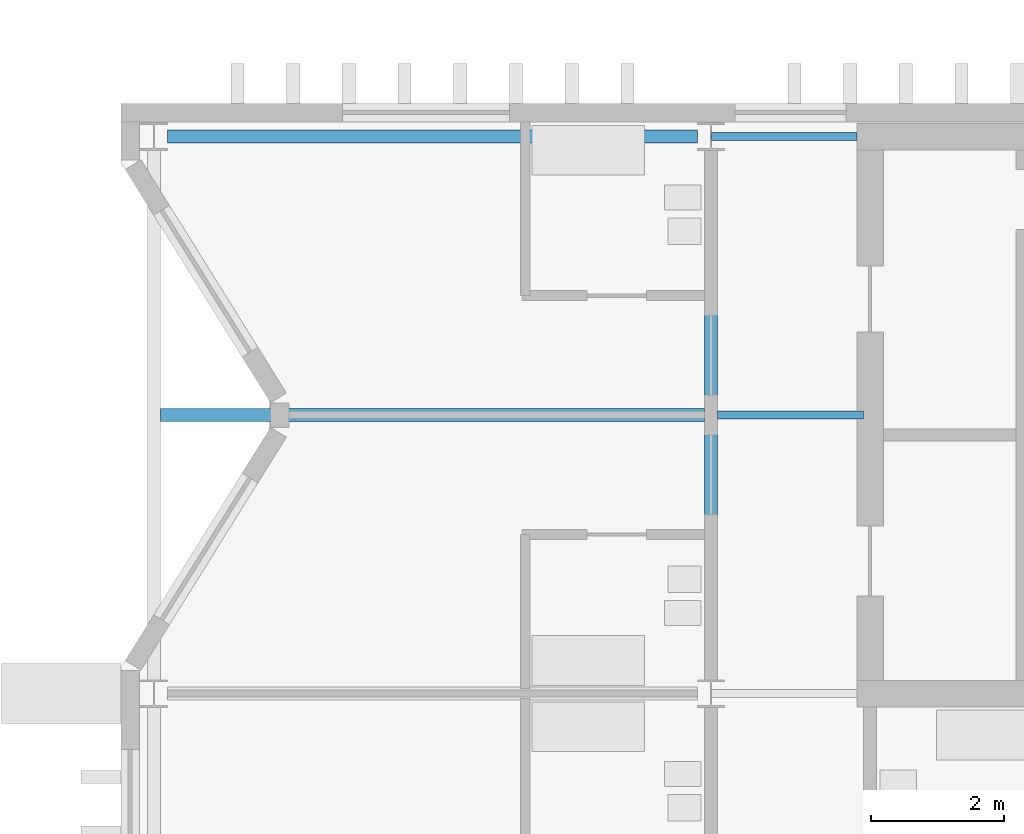
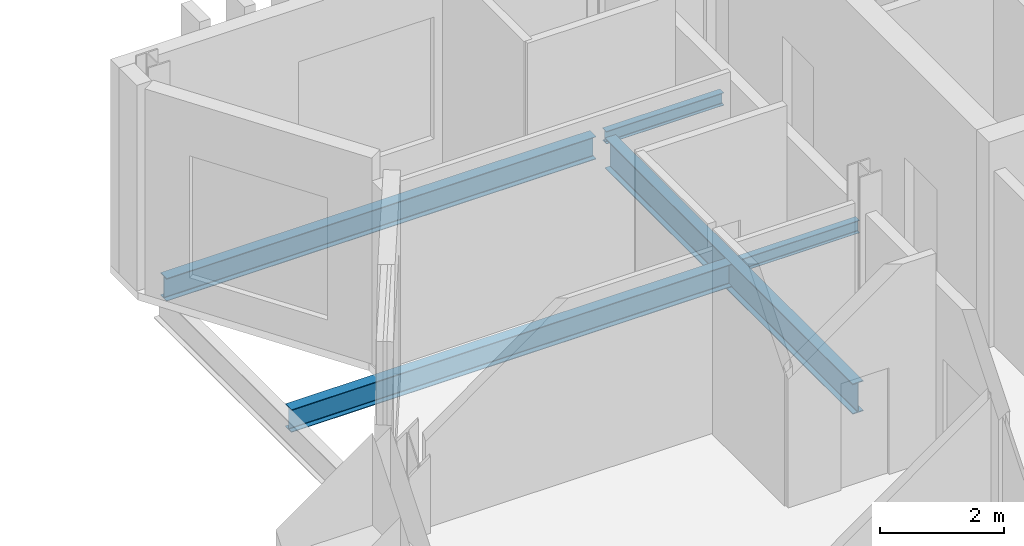
# One storey, part 40 of 88: 5 beams.
"""IFC4 building model written with IfcOpenShell, lengths in metres."""

from ifc_helpers import new_model, si_unit, direction, frame, origin, origin_2d, place, context, subcontext, project, spatial, i_section, extrude, material, material_profile, profile_set, type_object, element, save


model = new_model("IFC4")

# Units and contexts
model_context = context("Model", 3, precision=1e-05, world=origin(), true_north=direction((0.0, 1.0)))
body_context = subcontext(model_context, "Body", "Model", "MODEL_VIEW")
ifc_project = project(units=[si_unit("LENGTHUNIT", "METRE"), si_unit("AREAUNIT", "SQUARE_METRE"), si_unit("VOLUMEUNIT", "CUBIC_METRE"), si_unit("PLANEANGLEUNIT", "RADIAN"), si_unit("MASSUNIT", "GRAM", prefix="KILO")], contexts=[model_context])

# Site, building, storey
site_placement = place(None, origin())
site = spatial("IfcSite", under=ifc_project, at=site_placement, CompositionType="ELEMENT")
building_placement = place(site_placement, origin())
building = spatial("IfcBuilding", under=site, at=building_placement, Name="Cresset Court Congress Hotel", CompositionType="ELEMENT")
storey_placement = place(building_placement, frame((0.0, 0.0, 14.39990234375)))
storey = spatial("IfcBuildingStorey", under=building, at=storey_placement, Name="L03", CompositionType="ELEMENT", Elevation=14.39990234375)

# Beams
ifc_material_1 = material(Name="Structural steel Q355B", Category="steel")
ifc_material_profile_1 = material_profile(ifc_material_1, i_section(OverallWidth=0.198974609375, OverallDepth=0.446044921875, WebThickness=0.008056640625, FlangeThickness=0.011962890625, FilletRadius=0.012939453125, at=origin_2d()), Name="HN446x199x8x12")
ifc_profile_set_1 = profile_set([ifc_material_profile_1], Name="Structural steel Q355B")
beam_type_1 = type_object("IfcBeamType", Name="Steel beam HN446x199x8x12", PredefinedType="BEAM", material=ifc_profile_set_1)
beam_1_placement = place(storey_placement, frame((157.300048828125, 63.0, -0.372802734375), z_axis=(1.0, 0.0, 0.0), x_axis=(0.0, 1.0, 0.0)))
element("IfcBeam", 1, at=beam_1_placement, inside=storey, type_object=beam_type_1, Name="A.bm.L03.W.mid.7", PredefinedType="BEAM", context=body_context, shape_type="SweptSolid", body=[
    extrude(i_section(OverallWidth=0.198974609375, OverallDepth=0.446044921875, WebThickness=0.008056640625, FlangeThickness=0.011962890625, FilletRadius=0.012939453125, at=origin_2d()), origin(), (0.0, 0.0, 1.0), 8.199951171875),
])
beam_2_placement = place(storey_placement, frame((157.402587890625, 67.199951171875, -0.372802734375), z_axis=(1.0, 0.0, 0.0), x_axis=(0.0, 1.0, 0.0)))
element("IfcBeam", 2, at=beam_2_placement, inside=storey, type_object=beam_type_1, Name="A.bm.L03.W.frame1.7", PredefinedType="BEAM", context=body_context, shape_type="SweptSolid", body=[
    extrude(i_section(OverallWidth=0.198974609375, OverallDepth=0.446044921875, WebThickness=0.008056640625, FlangeThickness=0.011962890625, FilletRadius=0.012939453125, at=origin_2d()), origin(), (0.0, 0.0, 1.0), 7.994873046875),
])
ifc_material_2 = material(Name="Structural steel Q355B", Category="steel")
ifc_material_profile_2 = material_profile(ifc_material_2, i_section(OverallWidth=0.125, OverallDepth=0.25, WebThickness=0.006103515625, FlangeThickness=0.009033203125, FilletRadius=0.012939453125, at=origin_2d()), Name="HN250x125x6x9")
ifc_profile_set_2 = profile_set([ifc_material_profile_2], Name="Structural steel Q355B")
beam_type_2 = type_object("IfcBeamType", Name="Steel corridor beam HN250x125x6x9", PredefinedType="BEAM", material=ifc_profile_set_2)
beam_3_placement = place(storey_placement, frame((165.699951171875, 63.0, -0.27490234375), z_axis=(1.0, 0.0, 0.0), x_axis=(0.0, 1.0, 0.0)))
element("IfcBeam", 3, at=beam_3_placement, inside=storey, type_object=beam_type_2, Name="A.bm.L03.C.mid.7", PredefinedType="BEAM", context=body_context, shape_type="SweptSolid", body=[
    extrude(i_section(OverallWidth=0.125, OverallDepth=0.25, WebThickness=0.006103515625, FlangeThickness=0.009033203125, FilletRadius=0.012939453125, at=origin_2d()), origin(), (0.0, 0.0, 1.0), 2.199951171875),
])
beam_4_placement = place(storey_placement, frame((165.60888671875, 67.199951171875, -0.27490234375), z_axis=(1.0, 0.0, 0.0), x_axis=(0.0, 1.0, 0.0)))
element("IfcBeam", 4, at=beam_4_placement, inside=storey, type_object=beam_type_2, Name="A.bm.L03.C.frame1.7", PredefinedType="BEAM", context=body_context, shape_type="SweptSolid", body=[
    extrude(i_section(OverallWidth=0.125, OverallDepth=0.25, WebThickness=0.006103515625, FlangeThickness=0.009033203125, FilletRadius=0.012939453125, at=origin_2d()), origin(), (0.0, 0.0, 1.0), 2.191162109375),
])
ifc_material_3 = material(Name="Structural steel Q355B", Category="steel")
ifc_material_profile_3 = material_profile(ifc_material_3, i_section(OverallWidth=0.199951171875, OverallDepth=0.60009765625, WebThickness=0.010986328125, FlangeThickness=0.01708984375, FilletRadius=0.012939453125, at=origin_2d()), Name="HN600x200x11x17")
ifc_profile_set_3 = profile_set([ifc_material_profile_3], Name="Structural steel Q355B")
beam_type_3 = type_object("IfcBeamType", Name="Steel girder HN600x200x11x17", PredefinedType="BEAM", material=ifc_profile_set_3)
beam_5_placement = place(storey_placement, frame((165.60009765625, 59.007080078125, -0.449951171875), z_axis=(0.0, 1.0, 0.0), x_axis=(-1.0, 0.0, 0.0)))
element("IfcBeam", 5, at=beam_5_placement, inside=storey, type_object=beam_type_3, Name="A.gir.L03.1.7", PredefinedType="BEAM", context=body_context, shape_type="SweptSolid", body=[
    extrude(i_section(OverallWidth=0.199951171875, OverallDepth=0.60009765625, WebThickness=0.010986328125, FlangeThickness=0.01708984375, FilletRadius=0.012939453125, at=origin_2d()), origin(), (0.0, 0.0, 1.0), 7.98583984375),
])

save(model, "model.ifc")
